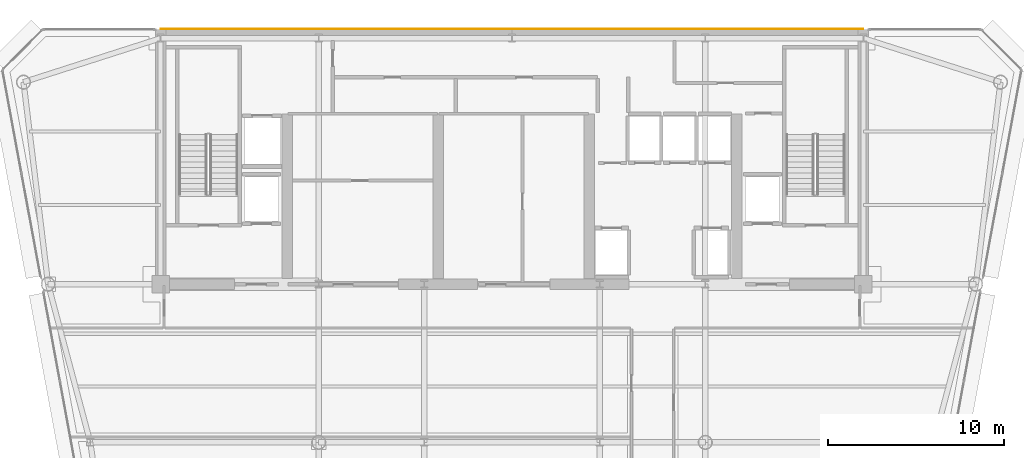
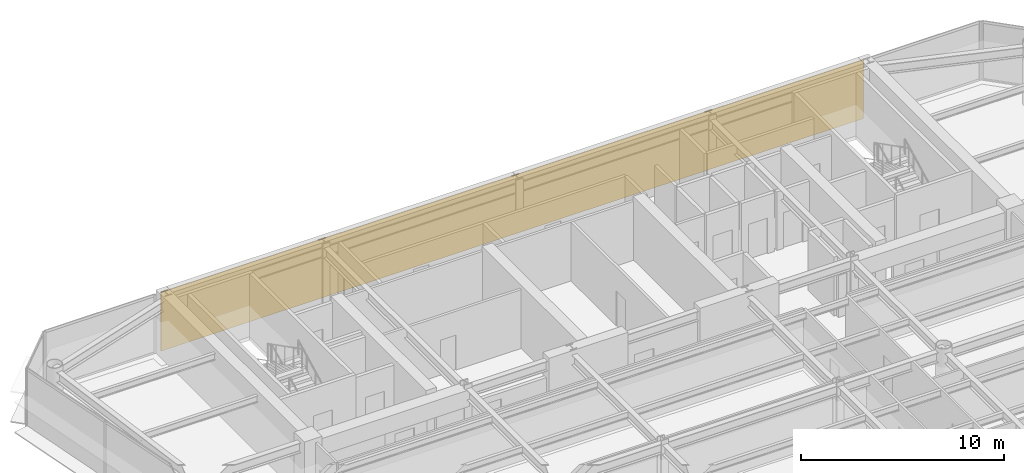
# One storey, part 16 of 17: 1 covering.
"""IFC4 building model written with IfcOpenShell, lengths in metres."""

from ifc_helpers import new_model, si_unit, direction, frame, origin, place, context, subcontext, project, spatial, polyline, outline, extrude, material, layer, layer_set, type_object, element, save


model = new_model("IFC4")

# Units and contexts
model_context = context("Model", 3, precision=1e-05, world=origin(), true_north=direction((0.0, 1.0)))
body_context = subcontext(model_context, "Body", "Model", "MODEL_VIEW")
ifc_project = project(units=[si_unit("LENGTHUNIT", "METRE"), si_unit("AREAUNIT", "SQUARE_METRE"), si_unit("VOLUMEUNIT", "CUBIC_METRE"), si_unit("PLANEANGLEUNIT", "RADIAN"), si_unit("MASSUNIT", "GRAM", prefix="KILO")], contexts=[model_context])

# Site, building, storey
site_placement = place(None, origin())
site = spatial("IfcSite", under=ifc_project, at=site_placement, CompositionType="ELEMENT")
building_placement = place(site_placement, origin())
building = spatial("IfcBuilding", under=site, at=building_placement, Name="Vaeldorn Concourse Tower", CompositionType="ELEMENT")
storey_placement = place(building_placement, frame((0.0, 0.0, 214.60009765625)))
storey = spatial("IfcBuildingStorey", under=building, at=storey_placement, Name="L55", CompositionType="ELEMENT", Elevation=214.60009765625)

# Covering
ifc_material = material(Name="Anodised Bronze Aluminium", Category="aluminium")
ifc_layer = layer(ifc_material, 0.050048828125)
ifc_layer_set = layer_set([ifc_layer], Name="Anodised Bronze Aluminium")
covering_type = type_object("IfcCoveringType", Name="COV-CLAD-BRONZE", PredefinedType="CLADDING", material=ifc_layer_set)
covering_placement = place(storey_placement, origin())
element("IfcCovering", 1, at=covering_placement, inside=storey, type_object=covering_type, Name="Rear Core Bronze Spandrel Cladding L55", PredefinedType="CLADDING", context=body_context, shape_type="SweptSolid", body=[
    extrude(outline(polyline([(14.0, 51.0), (54.0, 51.0), (54.0, 51.050048828125), (14.0, 51.050048828125), (14.0, 51.0)])), origin(), (0.0, 0.0, 1.0), 3.539794921875),
])

save(model, "model.ifc")
